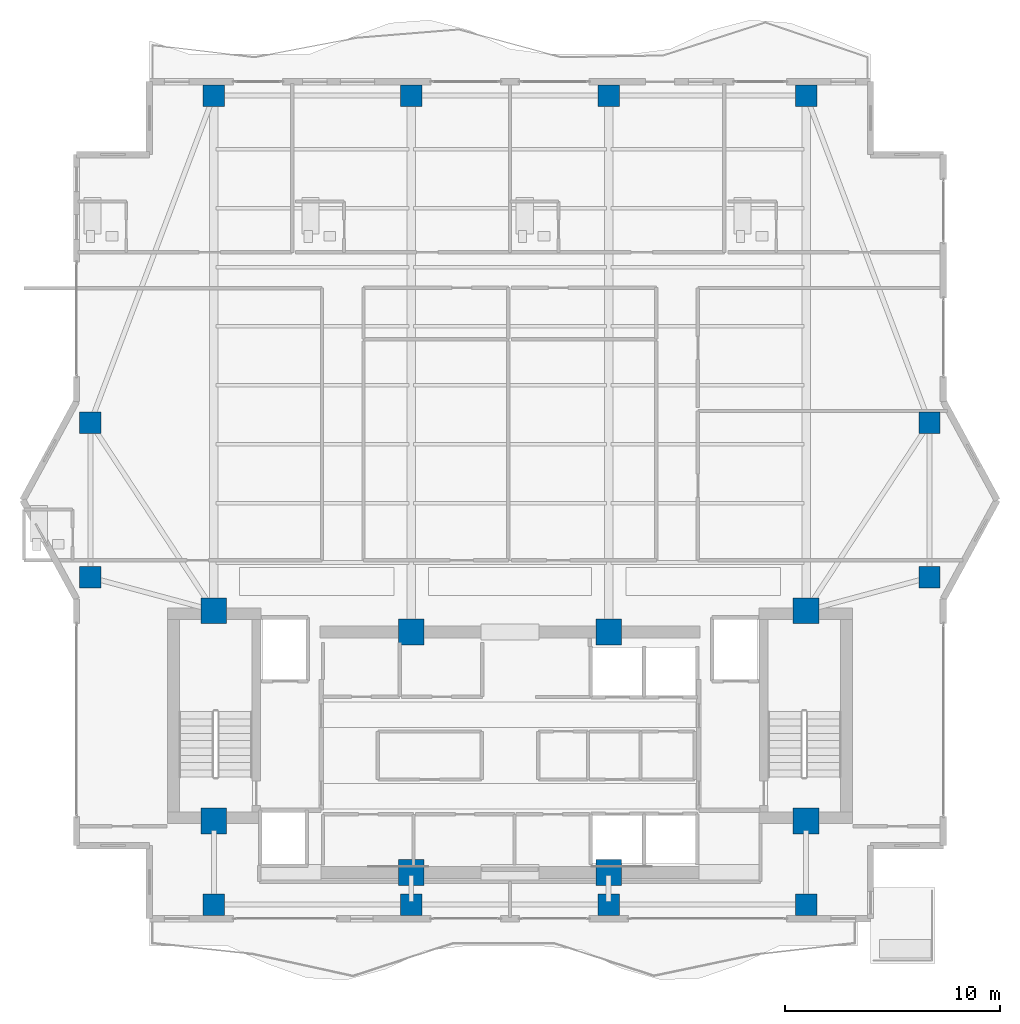
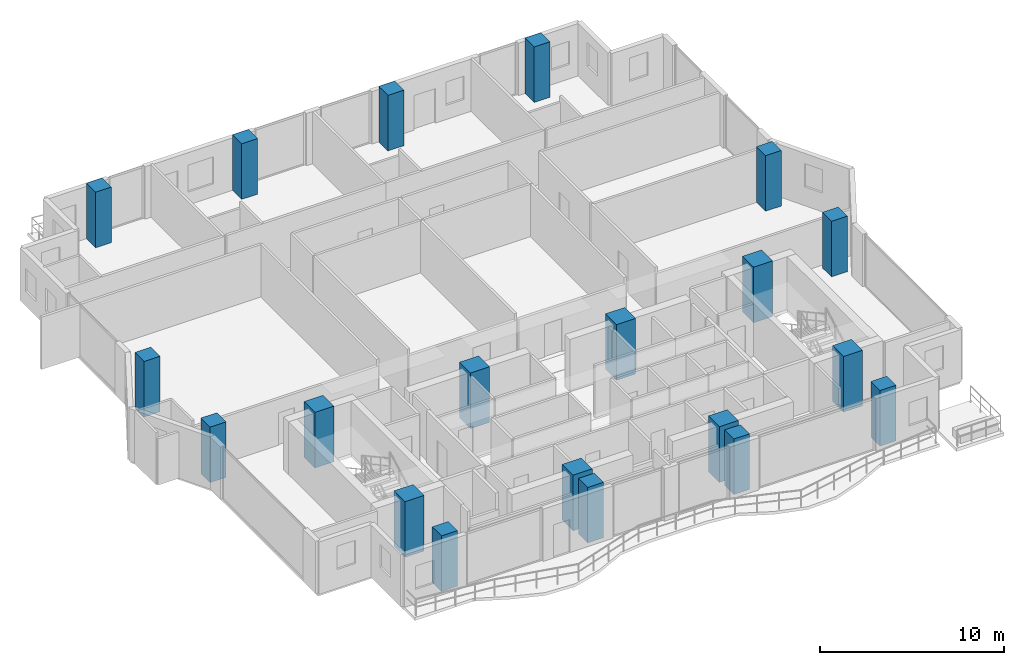
# One storey, part 1 of 26: 20 columns.
"""IFC4 building model written with IfcOpenShell, lengths in metres."""

from ifc_helpers import new_model, si_unit, direction, frame, origin, origin_2d, place, context, subcontext, project, spatial, rectangle, extrude, material, material_profile, profile_set, type_object, element, save


model = new_model("IFC4")

# Units and contexts
model_context = context("Model", 3, precision=1e-05, world=origin(), true_north=direction((0.0, 1.0)))
body_context = subcontext(model_context, "Body", "Model", "MODEL_VIEW")
ifc_project = project(units=[si_unit("LENGTHUNIT", "METRE"), si_unit("AREAUNIT", "SQUARE_METRE"), si_unit("VOLUMEUNIT", "CUBIC_METRE"), si_unit("PLANEANGLEUNIT", "RADIAN"), si_unit("MASSUNIT", "GRAM", prefix="KILO")], contexts=[model_context])

# Site, building, storey
site_placement = place(None, origin())
site = spatial("IfcSite", under=ifc_project, at=site_placement, CompositionType="ELEMENT")
building_placement = place(site_placement, origin())
building = spatial("IfcBuilding", under=site, at=building_placement, Name="Zuhayl Quay Hotel", CompositionType="ELEMENT")
storey_placement = place(building_placement, frame((0.0, 0.0, 254.449951171875)))
storey = spatial("IfcBuildingStorey", under=building, at=storey_placement, Name="L64", CompositionType="ELEMENT", Elevation=254.449951171875)

# Columns
ifc_material = material(Name="Concrete C60/75", Category="concrete")
ifc_material_profile_1 = material_profile(ifc_material, rectangle(XDim=1.199951171875, YDim=1.199951171875, at=origin_2d()), Name="RC1200X1200")
ifc_profile_set_1 = profile_set([ifc_material_profile_1], Name="Concrete C60/75")
column_type_1 = type_object("IfcColumnType", Name="CL_CC2_1200", PredefinedType="COLUMN", material=ifc_profile_set_1)
for number, where, z_axis, x_axis, name in (
    (1, (-13.800048828125, 14.35009765625, 0.0), (0.0, 0.0, 1.0), (1.0, 0.0, 0.0), "L64 Core Column CC_NW"),
    (2, (-4.60009765625, 13.35009765625, 0.0), (0.0, 0.0, 1.0), (1.0, 0.0, 0.0), "L64 Core Column CC_CNW"),
    (3, (4.60009765625, 13.35009765625, 0.0), (0.0, 0.0, 1.0), (1.0, 0.0, 0.0), "L64 Core Column CC_CNE"),
    (4, (13.800048828125, 14.35009765625, 0.0), (0.0, 0.0, 1.0), (1.0, 0.0, 0.0), "L64 Core Column CC_NE"),
    (5, (-13.800048828125, 4.550048828125, 0.0), (0.0, 0.0, 1.0), (1.0, 0.0, 0.0), "L64 Core Column CC_SW"),
    (6, (-4.60009765625, 2.14990234375, 0.0), (0.0, 0.0, 1.0), (1.0, 0.0, 0.0), "L64 Core Column CC_CSW"),
    (7, (4.60009765625, 2.14990234375, 0.0), (0.0, 0.0, 1.0), (1.0, 0.0, 0.0), "L64 Core Column CC_CSE"),
    (8, (13.800048828125, 4.550048828125, 0.0), (0.0, 0.0, 1.0), (1.0, 0.0, 0.0), "L64 Core Column CC_SE"),
):
    element("IfcColumn", number, at=place(storey_placement, frame(where, z_axis=z_axis, x_axis=x_axis)), inside=storey, type_object=column_type_1, Name=name, PredefinedType="COLUMN", context=body_context, shape_type="SweptSolid", body=[
        extrude(rectangle(XDim=1.199951171875, YDim=1.199951171875, at=origin_2d()), origin(), (0.0, 0.0, 1.0), 3.699951171875),
    ])
ifc_material_profile_2 = material_profile(ifc_material, rectangle(XDim=1.0, YDim=1.0, at=origin_2d()), Name="RC1000X1000")
ifc_profile_set_2 = profile_set([ifc_material_profile_2], Name="Concrete C60/75")
column_type_2 = type_object("IfcColumnType", Name="CL_MC4_1000", PredefinedType="COLUMN", material=ifc_profile_set_2)
for number, where, z_axis, x_axis, name in (
    (9, (-13.800048828125, 0.64990234375, 0.0), (0.0, 0.0, 1.0), (1.0, 0.0, 0.0), "L64 Mega-Column MC_S1"),
    (10, (-4.60009765625, 0.64990234375, 0.0), (0.0, 0.0, 1.0), (1.0, 0.0, 0.0), "L64 Mega-Column MC_S2"),
    (11, (4.60009765625, 0.64990234375, 0.0), (0.0, 0.0, 1.0), (1.0, 0.0, 0.0), "L64 Mega-Column MC_S3"),
    (12, (13.800048828125, 0.64990234375, 0.0), (0.0, 0.0, 1.0), (1.0, 0.0, 0.0), "L64 Mega-Column MC_S4"),
    (13, (-13.800048828125, 38.35009765625, 0.0), (0.0, 0.0, 1.0), (1.0, 0.0, 0.0), "L64 Mega-Column MC_N1"),
    (14, (-4.60009765625, 38.35009765625, 0.0), (0.0, 0.0, 1.0), (1.0, 0.0, 0.0), "L64 Mega-Column MC_N2"),
    (15, (4.60009765625, 38.35009765625, 0.0), (0.0, 0.0, 1.0), (1.0, 0.0, 0.0), "L64 Mega-Column MC_N3"),
    (16, (13.800048828125, 38.35009765625, 0.0), (0.0, 0.0, 1.0), (1.0, 0.0, 0.0), "L64 Mega-Column MC_N4"),
    (17, (-19.550048828125, 15.89990234375, 0.0), (0.0, 0.0, 1.0), (1.0, 0.0, 0.0), "L64 Mega-Column MC_W1"),
    (18, (-19.550048828125, 23.10009765625, 0.0), (0.0, 0.0, 1.0), (1.0, 0.0, 0.0), "L64 Mega-Column MC_W2"),
    (19, (19.550048828125, 15.89990234375, 0.0), (0.0, 0.0, 1.0), (1.0, 0.0, 0.0), "L64 Mega-Column MC_E1"),
    (20, (19.550048828125, 23.10009765625, 0.0), (0.0, 0.0, 1.0), (1.0, 0.0, 0.0), "L64 Mega-Column MC_E2"),
):
    element("IfcColumn", number, at=place(storey_placement, frame(where, z_axis=z_axis, x_axis=x_axis)), inside=storey, type_object=column_type_2, Name=name, PredefinedType="COLUMN", context=body_context, shape_type="SweptSolid", body=[
        extrude(rectangle(XDim=1.0, YDim=1.0, at=origin_2d()), origin(), (0.0, 0.0, 1.0), 3.699951171875),
    ])

save(model, "model.ifc")
